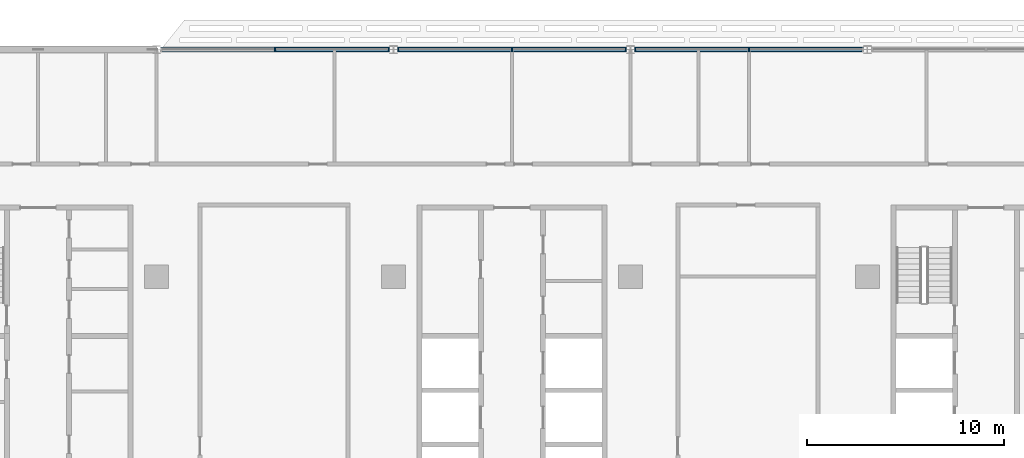
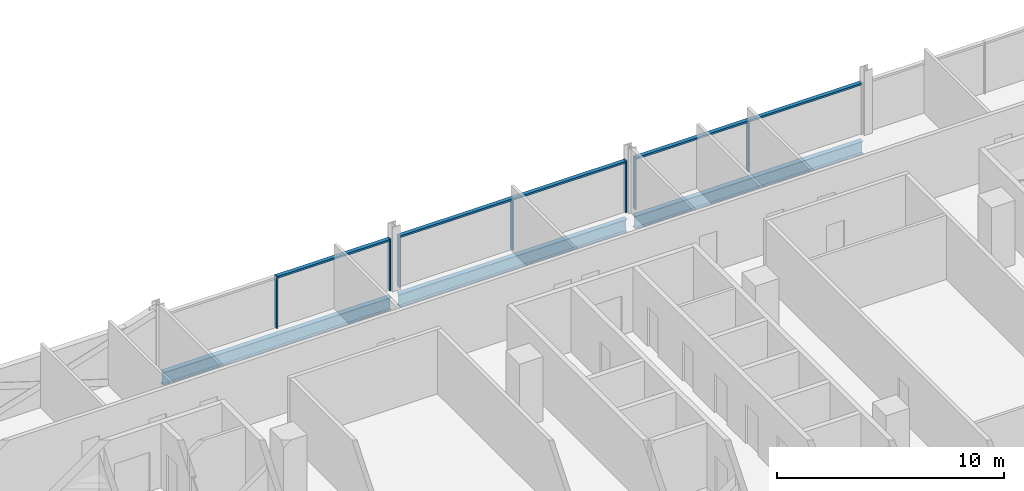
# One storey, part 7 of 27: 12 members, 3 beams, 3 elements without a shape of their own.
"""IFC4 building model written with IfcOpenShell, lengths in metres."""

from ifc_helpers import new_model, si_unit, direction, frame, origin, origin_2d, place, context, subcontext, project, spatial, rectangle, i_section, extrude, material, material_profile, profile_set, type_object, element, aggregate, save


model = new_model("IFC4")

# Units and contexts
model_context = context("Model", 3, precision=1e-05, world=origin(), true_north=direction((0.0, 1.0)))
body_context = subcontext(model_context, "Body", "Model", "MODEL_VIEW")
ifc_project = project(units=[si_unit("LENGTHUNIT", "METRE"), si_unit("AREAUNIT", "SQUARE_METRE"), si_unit("VOLUMEUNIT", "CUBIC_METRE"), si_unit("PLANEANGLEUNIT", "RADIAN"), si_unit("MASSUNIT", "GRAM", prefix="KILO")], contexts=[model_context])

# Site, building, storey
site_placement = place(None, origin())
site = spatial("IfcSite", under=ifc_project, at=site_placement, CompositionType="ELEMENT")
building_placement = place(site_placement, origin())
building = spatial("IfcBuilding", under=site, at=building_placement, Name="Mahtab Terrace Research Tower", CompositionType="ELEMENT")
storey_placement = place(building_placement, frame((0.0, 0.0, 182.0)))
storey = spatial("IfcBuildingStorey", under=building, at=storey_placement, Name="L43", CompositionType="ELEMENT", Elevation=182.0)

# Curtain wall, members
ifc_material_1 = material(Name="Laboratory ribbon curtain wall")
curtain_wall_type = type_object("IfcCurtainWallType", Name="Laboratory ribbon curtain wall", PredefinedType="NOTDEFINED", material=ifc_material_1)
curtain_wall_1_placement = place(storey_placement, origin())
curtain_wall_1 = element("IfcCurtainWall", 1, at=curtain_wall_1_placement, inside=storey, type_object=curtain_wall_type, Name="EN.L43.3.5", PredefinedType="NOTDEFINED")
ifc_material_2 = material(Name="Natural anodised aluminium", Category="aluminium")
ifc_material_profile_1 = material_profile(ifc_material_2, rectangle(XDim=0.199951171875, YDim=0.06494140625, at=origin_2d()), Name="MULLION 65x200")
ifc_profile_set_1 = profile_set([ifc_material_profile_1], Name="Natural anodised aluminium")
member_type_1 = type_object("IfcMemberType", Name="Laboratory ribbon curtain wall mullion", PredefinedType="MULLION", material=ifc_profile_set_1)
member_1_placement = place(storey_placement, frame((12.0, 23.0, 0.0), z_axis=(0.0, 0.0, 1.0), x_axis=(0.0, -1.0, 0.0)))
member_1 = element("IfcMember", 2, at=member_1_placement, type_object=member_type_1, Name="CWL-5 mullion 2", PredefinedType="MULLION", context=body_context, shape_type="SweptSolid", body=[
    extrude(rectangle(XDim=0.199951171875, YDim=0.06494140625, at=origin_2d()), origin(), (0.0, 0.0, 1.0), 2.78173828125),
])
member_2_placement = place(storey_placement, frame((6.240478515625, 23.0, 0.0), z_axis=(0.0, 0.0, 1.0), x_axis=(0.0, -1.0, 0.0)))
member_2 = element("IfcMember", 3, at=member_2_placement, type_object=member_type_1, Name="CWL-5 mullion 3", PredefinedType="MULLION", context=body_context, shape_type="SweptSolid", body=[
    extrude(rectangle(XDim=0.199951171875, YDim=0.06494140625, at=origin_2d()), origin(), (0.0, 0.0, 1.0), 2.78173828125),
])

curtain_wall_2_placement = place(storey_placement, origin())
curtain_wall_2 = element("IfcCurtainWall", 4, at=curtain_wall_2_placement, inside=storey, type_object=curtain_wall_type, Name="EN.L43.3.6", PredefinedType="NOTDEFINED")
member_3_placement = place(storey_placement, frame((5.759521484375, 23.0, 0.0), z_axis=(0.0, 0.0, 1.0), x_axis=(0.0, -1.0, 0.0)))
member_3 = element("IfcMember", 5, at=member_3_placement, type_object=member_type_1, Name="CWL-5 mullion 1", PredefinedType="MULLION", context=body_context, shape_type="SweptSolid", body=[
    extrude(rectangle(XDim=0.199951171875, YDim=0.06494140625, at=origin_2d()), origin(), (0.0, 0.0, 1.0), 2.78173828125),
])
member_4_placement = place(storey_placement, frame((0.0, 23.0, 0.0), z_axis=(0.0, 0.0, 1.0), x_axis=(0.0, -1.0, 0.0)))
member_4 = element("IfcMember", 6, at=member_4_placement, type_object=member_type_1, Name="CWL-5 mullion 2", PredefinedType="MULLION", context=body_context, shape_type="SweptSolid", body=[
    extrude(rectangle(XDim=0.199951171875, YDim=0.06494140625, at=origin_2d()), origin(), (0.0, 0.0, 1.0), 2.78173828125),
])
member_5_placement = place(storey_placement, frame((-5.759521484375, 23.0, 0.0), z_axis=(0.0, 0.0, 1.0), x_axis=(0.0, -1.0, 0.0)))
member_5 = element("IfcMember", 7, at=member_5_placement, type_object=member_type_1, Name="CWL-5 mullion 3", PredefinedType="MULLION", context=body_context, shape_type="SweptSolid", body=[
    extrude(rectangle(XDim=0.199951171875, YDim=0.06494140625, at=origin_2d()), origin(), (0.0, 0.0, 1.0), 2.78173828125),
])

curtain_wall_3_placement = place(storey_placement, origin())
curtain_wall_3 = element("IfcCurtainWall", 8, at=curtain_wall_3_placement, inside=storey, type_object=curtain_wall_type, Name="EN.L43.3.7", PredefinedType="NOTDEFINED")
member_6_placement = place(storey_placement, frame((-6.240478515625, 23.0, 0.0), z_axis=(0.0, 0.0, 1.0), x_axis=(0.0, -1.0, 0.0)))
member_6 = element("IfcMember", 9, at=member_6_placement, type_object=member_type_1, Name="CWL-5 mullion 1", PredefinedType="MULLION", context=body_context, shape_type="SweptSolid", body=[
    extrude(rectangle(XDim=0.199951171875, YDim=0.06494140625, at=origin_2d()), origin(), (0.0, 0.0, 1.0), 2.78173828125),
])
member_7_placement = place(storey_placement, frame((-12.0, 23.0, 0.0), z_axis=(0.0, 0.0, 1.0), x_axis=(0.0, -1.0, 0.0)))
member_7 = element("IfcMember", 10, at=member_7_placement, type_object=member_type_1, Name="CWL-5 mullion 2", PredefinedType="MULLION", context=body_context, shape_type="SweptSolid", body=[
    extrude(rectangle(XDim=0.199951171875, YDim=0.06494140625, at=origin_2d()), origin(), (0.0, 0.0, 1.0), 2.78173828125),
])

# Member
ifc_material_profile_2 = material_profile(ifc_material_2, rectangle(XDim=0.199951171875, YDim=0.10009765625, at=origin_2d()), Name="TRANSOM 100x200")
ifc_profile_set_2 = profile_set([ifc_material_profile_2], Name="Natural anodised aluminium")
member_type_2 = type_object("IfcMemberType", Name="Laboratory ribbon curtain wall transom", PredefinedType="USERDEFINED", material=ifc_profile_set_2)
member_8_placement = place(storey_placement, frame((17.72705078125, 23.0, 2.731689453125), z_axis=(-1.0, 0.0, 0.0), x_axis=(0.0, -1.0, 0.0)))
member_8 = element("IfcMember", 11, at=member_8_placement, type_object=member_type_2, Name="CWL-5 transom 1", ObjectType="TRANSOM", PredefinedType="USERDEFINED", context=body_context, shape_type="SweptSolid", body=[
    extrude(rectangle(XDim=0.199951171875, YDim=0.10009765625, at=origin_2d()), origin(), (0.0, 0.0, 1.0), 5.694580078125),
])

member_9_placement = place(storey_placement, frame((11.967529296875, 23.0, 2.731689453125), z_axis=(-1.0, 0.0, 0.0), x_axis=(0.0, -1.0, 0.0)))
member_9 = element("IfcMember", 12, at=member_9_placement, type_object=member_type_2, Name="CWL-5 transom 2", ObjectType="TRANSOM", PredefinedType="USERDEFINED", context=body_context, shape_type="SweptSolid", body=[
    extrude(rectangle(XDim=0.199951171875, YDim=0.10009765625, at=origin_2d()), origin(), (0.0, 0.0, 1.0), 5.694580078125),
])

aggregate(curtain_wall_1, [member_1, member_2, member_8, member_9])

member_10_placement = place(storey_placement, frame((5.72705078125, 23.0, 2.731689453125), z_axis=(-1.0, 0.0, 0.0), x_axis=(0.0, -1.0, 0.0)))
member_10 = element("IfcMember", 13, at=member_10_placement, type_object=member_type_2, Name="CWL-5 transom 1", ObjectType="TRANSOM", PredefinedType="USERDEFINED", context=body_context, shape_type="SweptSolid", body=[
    extrude(rectangle(XDim=0.199951171875, YDim=0.10009765625, at=origin_2d()), origin(), (0.0, 0.0, 1.0), 5.694580078125),
])

member_11_placement = place(storey_placement, frame((-0.032470703125, 23.0, 2.731689453125), z_axis=(-1.0, 0.0, 0.0), x_axis=(0.0, -1.0, 0.0)))
member_11 = element("IfcMember", 14, at=member_11_placement, type_object=member_type_2, Name="CWL-5 transom 2", ObjectType="TRANSOM", PredefinedType="USERDEFINED", context=body_context, shape_type="SweptSolid", body=[
    extrude(rectangle(XDim=0.199951171875, YDim=0.10009765625, at=origin_2d()), origin(), (0.0, 0.0, 1.0), 5.694580078125),
])

aggregate(curtain_wall_2, [member_3, member_4, member_5, member_10, member_11])

member_12_placement = place(storey_placement, frame((-6.27294921875, 23.0, 2.731689453125), z_axis=(-1.0, 0.0, 0.0), x_axis=(0.0, -1.0, 0.0)))
member_12 = element("IfcMember", 15, at=member_12_placement, type_object=member_type_2, Name="CWL-5 transom 1", ObjectType="TRANSOM", PredefinedType="USERDEFINED", context=body_context, shape_type="SweptSolid", body=[
    extrude(rectangle(XDim=0.199951171875, YDim=0.10009765625, at=origin_2d()), origin(), (0.0, 0.0, 1.0), 5.694580078125),
])

aggregate(curtain_wall_3, [member_6, member_7, member_12])

# Beams
ifc_material_3 = material(Name="Steel ASTM A992 Gr 50", Category="steel")
ifc_material_profile_3 = material_profile(ifc_material_3, i_section(OverallWidth=0.25390625, OverallDepth=0.67822265625, WebThickness=0.01171875, FlangeThickness=0.016357421875, at=origin_2d()), Name="W27X84")
ifc_profile_set_3 = profile_set([ifc_material_profile_3], Name="Steel ASTM A992 Gr 50")
beam_type = type_object("IfcBeamType", Name="W27x84 beam BS2784", PredefinedType="BEAM", material=ifc_profile_set_3)
for number, where, z_axis, x_axis, name in (
    (16, (17.796875, 23.0, -0.67919921875), (-1.0, 0.0, 0.0), (0.0, -1.0, 0.0), "Spandrel beam L43 03"),
    (17, (5.796875, 23.0, -0.67919921875), (-1.0, 0.0, 0.0), (0.0, -1.0, 0.0), "Spandrel beam L43 04"),
    (18, (-6.203125, 23.0, -0.67919921875), (-1.0, 0.0, 0.0), (0.0, -1.0, 0.0), "Spandrel beam L43 05"),
):
    element("IfcBeam", number, at=place(storey_placement, frame(where, z_axis=z_axis, x_axis=x_axis)), inside=storey, type_object=beam_type, Name=name, PredefinedType="BEAM", context=body_context, shape_type="SweptSolid", body=[
        extrude(i_section(OverallWidth=0.25390625, OverallDepth=0.67822265625, WebThickness=0.01171875, FlangeThickness=0.016357421875, at=origin_2d()), origin(), (0.0, 0.0, 1.0), 11.59375),
    ])

save(model, "model.ifc")
